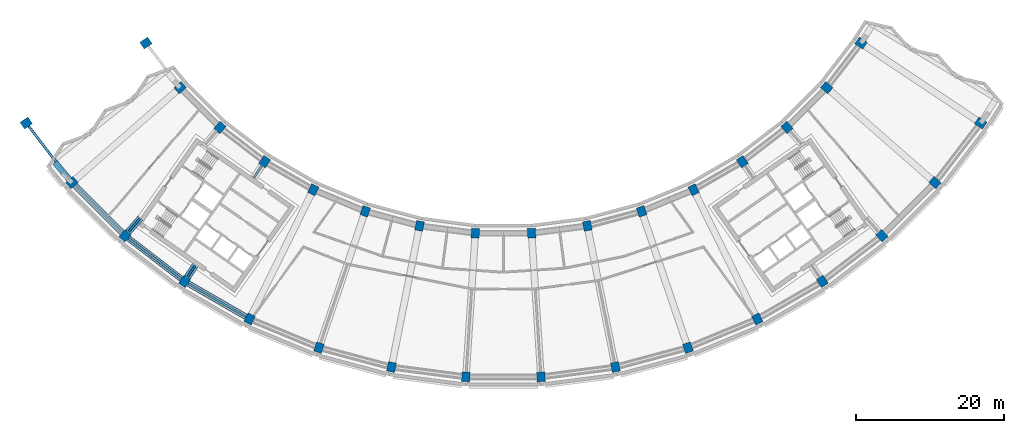
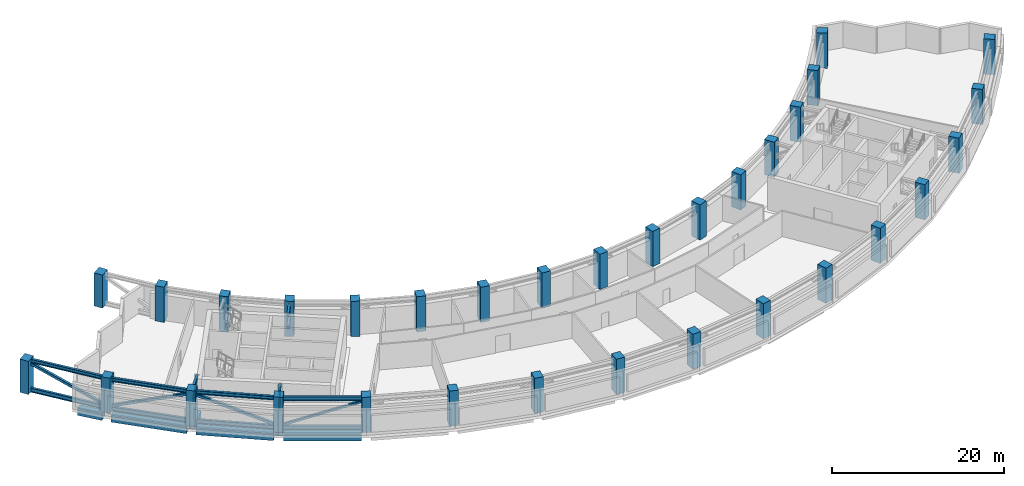
# One storey, part 1 of 24: 32 columns, 20 members, 6 beams.
"""IFC4 building model written with IfcOpenShell, lengths in metres."""

from ifc_helpers import new_model, si_unit, direction, frame, origin, origin_2d, place, context, subcontext, project, spatial, rectangle, hollow_rectangle, hollow_circle, i_section, extrude, material, material_profile, profile_set, type_object, element, save


model = new_model("IFC4")

# Units and contexts
model_context = context("Model", 3, precision=1e-05, world=origin(), true_north=direction((0.0, 1.0)))
body_context = subcontext(model_context, "Body", "Model", "MODEL_VIEW")
ifc_project = project(units=[si_unit("LENGTHUNIT", "METRE"), si_unit("AREAUNIT", "SQUARE_METRE"), si_unit("VOLUMEUNIT", "CUBIC_METRE"), si_unit("PLANEANGLEUNIT", "RADIAN"), si_unit("MASSUNIT", "GRAM", prefix="KILO")], contexts=[model_context])

# Site, building, storey
site_placement = place(None, origin())
site = spatial("IfcSite", under=ifc_project, at=site_placement, CompositionType="ELEMENT")
building_placement = place(site_placement, origin())
building = spatial("IfcBuilding", under=site, at=building_placement, Name="Qamariyya Broadcast Tower", CompositionType="ELEMENT")
storey_placement = place(building_placement, frame((0.0, 0.0, 198.699951171875)))
storey = spatial("IfcBuildingStorey", under=building, at=storey_placement, Name="L47", CompositionType="ELEMENT", Elevation=198.699951171875)

# Columns
ifc_material_1 = material(Name="Concrete C60/75", Category="concrete")
ifc_material_profile_1 = material_profile(ifc_material_1, rectangle(XDim=1.10009765625, YDim=1.300048828125, at=origin_2d()))
ifc_profile_set_1 = profile_set([ifc_material_profile_1], Name="Concrete C60/75")
column_type_1 = type_object("IfcColumnType", Name="RC column 1100 x 1300 C60/75", PredefinedType="COLUMN", material=ifc_profile_set_1)
for number, where, z_axis, x_axis, name in (
    (1, (-43.794677734375, -38.406982421875, 0.0), (0.0, 0.0, 1.0), (0.6593458151, -0.751839807479, 0.0), "Column C8 L47 B-R04"),
    (2, (-58.45556640625, -51.26416015625, 0.0), (0.0, 0.0, 1.0), (0.6593458151, -0.751839807479, 0.0), "Column C8 L47 C-R04"),
    (3, (-38.406982421875, -43.794677734375, 0.0), (0.0, 0.0, 1.0), (0.751839807479, -0.6593458151, 0.0), "Column C8 L47 B-R05"),
    (4, (-51.26416015625, -58.45556640625, 0.0), (0.0, 0.0, 1.0), (0.751839807479, -0.6593458151, 0.0), "Column C8 L47 C-R05"),
    (5, (-32.362060546875, -48.43310546875, 0.0), (0.0, 0.0, 1.0), (0.831469612303, -0.55557023302, 0.0), "Column C8 L47 B-R06"),
    (6, (-43.195556640625, -64.646728515625, 0.0), (0.0, 0.0, 1.0), (0.831469612303, -0.55557023302, 0.0), "Column C8 L47 C-R06"),
    (7, (-25.763427734375, -52.242919921875, 0.0), (0.0, 0.0, 1.0), (0.896872741533, -0.442288690219, 0.0), "Column C8 L47 B-R07"),
    (8, (-34.387939453125, -69.73193359375, 0.0), (0.0, 0.0, 1.0), (0.896872741533, -0.442288690219, 0.0), "Column C8 L47 C-R07"),
    (9, (-18.723876953125, -55.15869140625, 0.0), (0.0, 0.0, 1.0), (0.946930129495, -0.321439465303, 0.0), "Column C8 L47 B-R08"),
    (10, (-24.991943359375, -73.623779296875, 0.0), (0.0, 0.0, 1.0), (0.946930129495, -0.321439465303, 0.0), "Column C8 L47 C-R08"),
    (11, (-11.364013671875, -57.130859375, 0.0), (0.0, 0.0, 1.0), (0.980785280403, -0.195090322016, 0.0), "Column C8 L47 B-R09"),
    (12, (-15.168212890625, -76.256103515625, 0.0), (0.0, 0.0, 1.0), (0.980785280403, -0.195090322016, 0.0), "Column C8 L47 C-R09"),
    (13, (-3.809814453125, -58.125244140625, 0.0), (0.0, 0.0, 1.0), (0.997858923239, -0.06540312923, 0.0), "Column C8 L47 B-R10"),
    (14, (-5.085205078125, -77.58349609375, 0.0), (0.0, 0.0, 1.0), (0.997858923239, -0.06540312923, 0.0), "Column C8 L47 C-R10"),
    (15, (3.809814453125, -58.125244140625, 0.0), (0.0, 0.0, 1.0), (0.997858923239, 0.06540312923, 0.0), "Column C8 L47 B-R11"),
    (16, (5.085205078125, -77.58349609375, 0.0), (0.0, 0.0, 1.0), (0.997858923239, 0.06540312923, 0.0), "Column C8 L47 C-R11"),
    (17, (11.364013671875, -57.130859375, 0.0), (0.0, 0.0, 1.0), (0.980785280403, 0.195090322016, 0.0), "Column C8 L47 B-R12"),
    (18, (15.168212890625, -76.256103515625, 0.0), (0.0, 0.0, 1.0), (0.980785280403, 0.195090322016, 0.0), "Column C8 L47 C-R12"),
    (19, (18.723876953125, -55.15869140625, 0.0), (0.0, 0.0, 1.0), (0.946930129495, 0.321439465303, 0.0), "Column C8 L47 B-R13"),
    (20, (24.991943359375, -73.623779296875, 0.0), (0.0, 0.0, 1.0), (0.946930129495, 0.321439465303, 0.0), "Column C8 L47 C-R13"),
    (21, (25.763427734375, -52.242919921875, 0.0), (0.0, 0.0, 1.0), (0.896872741533, 0.442288690219, 0.0), "Column C8 L47 B-R14"),
    (22, (34.387939453125, -69.73193359375, 0.0), (0.0, 0.0, 1.0), (0.896872741533, 0.442288690219, 0.0), "Column C8 L47 C-R14"),
    (23, (32.362060546875, -48.43310546875, 0.0), (0.0, 0.0, 1.0), (0.831469612303, 0.55557023302, 0.0), "Column C8 L47 B-R15"),
    (24, (43.195556640625, -64.646728515625, 0.0), (0.0, 0.0, 1.0), (0.831469612303, 0.55557023302, 0.0), "Column C8 L47 C-R15"),
    (25, (38.406982421875, -43.794677734375, 0.0), (0.0, 0.0, 1.0), (0.751839807479, 0.6593458151, 0.0), "Column C8 L47 B-R16"),
    (26, (51.26416015625, -58.45556640625, 0.0), (0.0, 0.0, 1.0), (0.751839807479, 0.6593458151, 0.0), "Column C8 L47 C-R16"),
    (27, (43.794677734375, -38.406982421875, 0.0), (0.0, 0.0, 1.0), (0.6593458151, 0.751839807479, 0.0), "Column C8 L47 B-R17"),
    (28, (58.45556640625, -51.26416015625, 0.0), (0.0, 0.0, 1.0), (0.6593458151, 0.751839807479, 0.0), "Column C8 L47 C-R17"),
    (29, (48.43310546875, -32.362060546875, 0.0), (0.0, 0.0, 1.0), (0.55557023302, 0.831469612303, 0.0), "Column C8 L47 B-R18"),
    (30, (64.646728515625, -43.195556640625, 0.0), (0.0, 0.0, 1.0), (0.55557023302, 0.831469612303, 0.0), "Column C8 L47 C-R18"),
):
    element("IfcColumn", number, at=place(storey_placement, frame(where, z_axis=z_axis, x_axis=x_axis)), inside=storey, type_object=column_type_1, Name=name, PredefinedType="COLUMN", context=body_context, shape_type="SweptSolid", body=[
        extrude(rectangle(XDim=1.10009765625, YDim=1.300048828125, at=origin_2d()), origin(), (0.0, 0.0, 1.0), 5.0),
    ])
ifc_material_profile_2 = material_profile(ifc_material_1, rectangle(XDim=1.10009765625, YDim=1.300048828125, at=origin_2d()))
ifc_profile_set_2 = profile_set([ifc_material_profile_2], Name="Concrete C60/75")
column_type_2 = type_object("IfcColumnType", Name="RC column 1100 x 1300 C60/75 to slab soffit", PredefinedType="COLUMN", material=ifc_profile_set_2)
for number, where, z_axis, x_axis, name in (
    (31, (-48.43310546875, -32.362060546875, 0.0), (0.0, 0.0, 1.0), (0.55557023302, -0.831469612303, 0.0), "Column C18 L47 B-R03"),
    (32, (-64.646728515625, -43.195556640625, 0.0), (0.0, 0.0, 1.0), (0.55557023302, -0.831469612303, 0.0), "Column C18 L47 C-R03"),
):
    element("IfcColumn", number, at=place(storey_placement, frame(where, z_axis=z_axis, x_axis=x_axis)), inside=storey, type_object=column_type_2, Name=name, PredefinedType="COLUMN", context=body_context, shape_type="SweptSolid", body=[
        extrude(rectangle(XDim=1.10009765625, YDim=1.300048828125, at=origin_2d()), origin(), (0.0, 0.0, 1.0), 4.699951171875),
    ])

# Members
ifc_material_2 = material(Name="Steel S355", Category="steel")
ifc_material_profile_3 = material_profile(ifc_material_2, i_section(OverallWidth=0.300048828125, OverallDepth=0.60009765625, WebThickness=0.015380859375, FlangeThickness=0.030029296875, FilletRadius=0.027099609375, at=origin_2d()))
ifc_profile_set_3 = profile_set([ifc_material_profile_3], Name="Steel S355")
member_type_1 = type_object("IfcMemberType", Name="Belt truss bottom chord HEB 600", PredefinedType="CHORD", material=ifc_profile_set_3)
member_1_placement = place(storey_placement, frame((-42.71826171875, -64.92236328125, 0.300048828125), z_axis=(0.866025972227, -0.499999015427, 0.0), x_axis=(0.499999015427, 0.866025972227, 0.0)))
element("IfcMember", 33, at=member_1_placement, inside=storey, type_object=member_type_1, Name="Belt truss bottom chord T22 L47 C-R06", PredefinedType="CHORD", context=body_context, shape_type="SweptSolid", body=[
    extrude(i_section(OverallWidth=0.300048828125, OverallDepth=0.60009765625, WebThickness=0.015380859375, FlangeThickness=0.030029296875, FilletRadius=0.027099609375, at=origin_2d()), origin(), (0.0, 0.0, 1.0), 9.06787109375),
])
ifc_material_profile_4 = material_profile(ifc_material_2, hollow_rectangle(XDim=0.300048828125, YDim=0.300048828125, WallThickness=0.012451171875, InnerFilletRadius=0.012451171875, OuterFilletRadius=0.02490234375, at=origin_2d()))
ifc_profile_set_4 = profile_set([ifc_material_profile_4], Name="Steel S355")
member_type_2 = type_object("IfcMemberType", Name="Belt truss diagonal RHS 300x300x12.5", PredefinedType="BRACE", material=ifc_profile_set_4)
member_2_placement = place(storey_placement, frame((-42.672607421875, -64.94873046875, 0.7412109375), z_axis=(0.815085795478, -0.470586933065, 0.337909876208), x_axis=(0.499997553305, 0.86602681638, 0.0)))
element("IfcMember", 34, at=member_2_placement, inside=storey, type_object=member_type_2, Name="Belt truss diagonal T23 L47 C-R06", PredefinedType="BRACE", context=body_context, shape_type="SweptSolid", body=[
    extrude(hollow_rectangle(XDim=0.300048828125, YDim=0.300048828125, WallThickness=0.012451171875, InnerFilletRadius=0.012451171875, OuterFilletRadius=0.02490234375, at=origin_2d()), origin(), (0.0, 0.0, 1.0), 9.5224609375),
])
ifc_material_profile_5 = material_profile(ifc_material_2, i_section(OverallWidth=0.300048828125, OverallDepth=0.60009765625, WebThickness=0.015380859375, FlangeThickness=0.030029296875, FilletRadius=0.027099609375, at=origin_2d()))
ifc_profile_set_5 = profile_set([ifc_material_profile_5], Name="Steel S355")
member_type_3 = type_object("IfcMemberType", Name="Belt truss top chord HEB 600", PredefinedType="CHORD", material=ifc_profile_set_5)
member_3_placement = place(storey_placement, frame((-42.71826171875, -64.92236328125, 4.400146484375), z_axis=(0.866025972227, -0.499999015427, 0.0), x_axis=(0.499999015427, 0.866025972227, 0.0)))
element("IfcMember", 35, at=member_3_placement, inside=storey, type_object=member_type_3, Name="Belt truss top chord T21 L47 C-R06", PredefinedType="CHORD", context=body_context, shape_type="SweptSolid", body=[
    extrude(i_section(OverallWidth=0.300048828125, OverallDepth=0.60009765625, WebThickness=0.015380859375, FlangeThickness=0.030029296875, FilletRadius=0.027099609375, at=origin_2d()), origin(), (0.0, 0.0, 1.0), 9.06787109375),
])
ifc_material_profile_6 = material_profile(ifc_material_2, i_section(OverallWidth=0.300048828125, OverallDepth=0.389892578125, WebThickness=0.010986328125, FlangeThickness=0.01904296875, FilletRadius=0.027099609375, at=origin_2d()))
ifc_profile_set_6 = profile_set([ifc_material_profile_6], Name="Steel S355")
member_type_4 = type_object("IfcMemberType", Name="Outrigger truss bottom chord HEA 400", PredefinedType="CHORD", material=ifc_profile_set_6)
member_4_placement = place(storey_placement, frame((-49.22412109375, -56.12939453125, 2.695068359375), z_axis=(-0.659309986611, -0.751871226711, 0.0), x_axis=(0.751871226711, -0.659309986611, 0.0)))
element("IfcMember", 36, at=member_4_placement, inside=storey, type_object=member_type_4, Name="Outrigger truss bottom chord T25 L47 R05", PredefinedType="CHORD", context=body_context, shape_type="SweptSolid", body=[
    extrude(i_section(OverallWidth=0.300048828125, OverallDepth=0.389892578125, WebThickness=0.010986328125, FlangeThickness=0.01904296875, FilletRadius=0.027099609375, at=origin_2d()), origin(), (0.0, 0.0, 1.0), 2.424072265625),
])
member_5_placement = place(storey_placement, frame((-32.734130859375, -48.990234375, 2.695068359375), z_axis=(-0.555653520219, -0.831413955541, 0.0), x_axis=(0.831413955541, -0.555653520219, 0.0)))
element("IfcMember", 37, at=member_5_placement, inside=storey, type_object=member_type_4, Name="Outrigger truss bottom chord T25 L47 R06", PredefinedType="CHORD", context=body_context, shape_type="SweptSolid", body=[
    extrude(i_section(OverallWidth=0.300048828125, OverallDepth=0.389892578125, WebThickness=0.010986328125, FlangeThickness=0.01904296875, FilletRadius=0.027099609375, at=origin_2d()), origin(), (0.0, 0.0, 1.0), 1.949462890625),
])
member_6_placement = place(storey_placement, frame((-41.75830078125, -62.49560546875, 2.695068359375), z_axis=(-0.555522834647, -0.831501280929, 0.0), x_axis=(0.831501280929, -0.555522834647, 0.0)))
element("IfcMember", 38, at=member_6_placement, inside=storey, type_object=member_type_4, Name="Outrigger truss bottom chord T25 L47 R06", PredefinedType="CHORD", context=body_context, shape_type="SweptSolid", body=[
    extrude(i_section(OverallWidth=0.300048828125, OverallDepth=0.389892578125, WebThickness=0.010986328125, FlangeThickness=0.01904296875, FilletRadius=0.027099609375, at=origin_2d()), origin(), (0.0, 0.0, 1.0), 1.9169921875),
])
ifc_material_profile_7 = material_profile(ifc_material_2, hollow_circle(Radius=0.136474609375, WallThickness=0.012451171875, at=origin_2d()))
ifc_profile_set_7 = profile_set([ifc_material_profile_7], Name="Steel S355")
member_type_5 = type_object("IfcMemberType", Name="Outrigger truss diagonal CHS 273x12.5", PredefinedType="BRACE", material=ifc_profile_set_7)
member_7_placement = place(storey_placement, frame((-49.266357421875, -56.177734375, 4.1884765625), z_axis=(-0.586755104263, -0.66899545678, -0.456249412525), x_axis=(0.751805359255, -0.659385093702, 0.0)))
element("IfcMember", 39, at=member_7_placement, inside=storey, type_object=member_type_5, Name="Outrigger truss diagonal T26 L47 R05", PredefinedType="BRACE", context=body_context, shape_type="SweptSolid", body=[
    extrude(hollow_circle(Radius=0.136474609375, WallThickness=0.012451171875, at=origin_2d()), origin(), (0.0, 0.0, 1.0), 2.579833984375),
])
member_8_placement = place(storey_placement, frame((-41.802001953125, -62.56103515625, 4.197021484375), z_axis=(-0.459683781528, -0.688033192481, -0.561516827036), x_axis=(0.831494900489, -0.555532384709, 0.0)))
element("IfcMember", 40, at=member_8_placement, inside=storey, type_object=member_type_5, Name="Outrigger truss diagonal T26 L47 R06", PredefinedType="BRACE", context=body_context, shape_type="SweptSolid", body=[
    extrude(hollow_circle(Radius=0.136474609375, WallThickness=0.012451171875, at=origin_2d()), origin(), (0.0, 0.0, 1.0), 2.12646484375),
])
ifc_material_profile_8 = material_profile(ifc_material_2, i_section(OverallWidth=0.300048828125, OverallDepth=0.389892578125, WebThickness=0.010986328125, FlangeThickness=0.01904296875, FilletRadius=0.027099609375, at=origin_2d()))
ifc_profile_set_8 = profile_set([ifc_material_profile_8], Name="Steel S355")
member_type_6 = type_object("IfcMemberType", Name="Outrigger truss top chord HEA 400", PredefinedType="CHORD", material=ifc_profile_set_8)
member_9_placement = place(storey_placement, frame((-49.22412109375, -56.12939453125, 4.505126953125), z_axis=(-0.659309986611, -0.751871226711, 0.0), x_axis=(0.751871226711, -0.659309986611, 0.0)))
element("IfcMember", 41, at=member_9_placement, inside=storey, type_object=member_type_6, Name="Outrigger truss top chord T24 L47 R05", PredefinedType="CHORD", context=body_context, shape_type="SweptSolid", body=[
    extrude(i_section(OverallWidth=0.300048828125, OverallDepth=0.389892578125, WebThickness=0.010986328125, FlangeThickness=0.01904296875, FilletRadius=0.027099609375, at=origin_2d()), origin(), (0.0, 0.0, 1.0), 2.424072265625),
])
member_10_placement = place(storey_placement, frame((-32.734130859375, -48.990234375, 4.505126953125), z_axis=(-0.555653520219, -0.831413955541, 0.0), x_axis=(0.831413955541, -0.555653520219, 0.0)))
element("IfcMember", 42, at=member_10_placement, inside=storey, type_object=member_type_6, Name="Outrigger truss top chord T24 L47 R06", PredefinedType="CHORD", context=body_context, shape_type="SweptSolid", body=[
    extrude(i_section(OverallWidth=0.300048828125, OverallDepth=0.389892578125, WebThickness=0.010986328125, FlangeThickness=0.01904296875, FilletRadius=0.027099609375, at=origin_2d()), origin(), (0.0, 0.0, 1.0), 1.949462890625),
])
member_11_placement = place(storey_placement, frame((-41.75830078125, -62.49560546875, 4.505126953125), z_axis=(-0.555522834647, -0.831501280929, 0.0), x_axis=(0.831501280929, -0.555522834647, 0.0)))
element("IfcMember", 43, at=member_11_placement, inside=storey, type_object=member_type_6, Name="Outrigger truss top chord T24 L47 R06", PredefinedType="CHORD", context=body_context, shape_type="SweptSolid", body=[
    extrude(i_section(OverallWidth=0.300048828125, OverallDepth=0.389892578125, WebThickness=0.010986328125, FlangeThickness=0.01904296875, FilletRadius=0.027099609375, at=origin_2d()), origin(), (0.0, 0.0, 1.0), 1.9169921875),
])

# Beams
ifc_material_3 = material(Name="Concrete C40/50", Category="concrete")
ifc_material_profile_9 = material_profile(ifc_material_3, rectangle(XDim=0.800048828125, YDim=1.0, at=origin_2d()))
ifc_profile_set_9 = profile_set([ifc_material_profile_9], Name="Concrete C40/50")
beam_type_1 = type_object("IfcBeamType", Name="RC edge beam 800 x 1000 C40/50", PredefinedType="SPANDREL", material=ifc_profile_set_9)
beam_1_placement = place(storey_placement, frame((-58.06591796875, -51.65380859375, -0.89990234375), z_axis=(0.707106781187, -0.707106781187, 0.0), x_axis=(0.707106781187, 0.707106781187, 0.0)))
element("IfcBeam", 44, at=beam_1_placement, inside=storey, type_object=beam_type_1, Name="Edge beam B24 L47 C R04-R05", PredefinedType="SPANDREL", context=body_context, shape_type="SweptSolid", body=[
    extrude(rectangle(XDim=0.800048828125, YDim=1.0, at=origin_2d()), origin(), (0.0, 0.0, 1.0), 9.068115234375),
])
for number, where, z_axis, x_axis, name in (
    (45, (-50.826904296875, -58.791015625, -0.89990234375), (0.793351056372, -0.608764405458, 0.0), (0.608764405458, 0.793351056372, 0.0), "Edge beam B24 L47 C R05-R06"),
    (46, (-42.71826171875, -64.92236328125, -0.89990234375), (0.866025972227, -0.499999015427, 0.0), (0.499999015427, 0.866025972227, 0.0), "Edge beam B24 L47 C R06-R07"),
):
    element("IfcBeam", number, at=place(storey_placement, frame(where, z_axis=z_axis, x_axis=x_axis)), inside=storey, type_object=beam_type_1, Name=name, PredefinedType="SPANDREL", context=body_context, shape_type="SweptSolid", body=[
        extrude(rectangle(XDim=0.800048828125, YDim=1.0, at=origin_2d()), origin(), (0.0, 0.0, 1.0), 9.06787109375),
    ])
ifc_material_profile_10 = material_profile(ifc_material_3, rectangle(XDim=0.800048828125, YDim=1.0, at=origin_2d()))
ifc_profile_set_10 = profile_set([ifc_material_profile_10], Name="Concrete C40/50")
beam_type_2 = type_object("IfcBeamType", Name="RC horn beam 800 x 1000 C40/50", PredefinedType="BEAM", material=ifc_profile_set_10)
beam_2_placement = place(storey_placement, frame((-58.807861328125, -50.841552734375, -0.89990234375), z_axis=(-0.640503737834, 0.767955051953, 0.0), x_axis=(-0.767955051953, -0.640503737834, 0.0)))
element("IfcBeam", 47, at=beam_2_placement, inside=storey, type_object=beam_type_2, Name="Horn beam B25 L47 W C-R04", PredefinedType="BEAM", context=body_context, shape_type="SweptSolid", body=[
    extrude(rectangle(XDim=0.800048828125, YDim=1.0, at=origin_2d()), origin(), (0.0, 0.0, 1.0), 3.00732421875),
])
ifc_material_profile_11 = material_profile(ifc_material_3, rectangle(XDim=0.89990234375, YDim=1.0, at=origin_2d()))
ifc_profile_set_11 = profile_set([ifc_material_profile_11], Name="Concrete C40/50")
beam_type_3 = type_object("IfcBeamType", Name="RC radial beam 900 x 1000 C40/50", PredefinedType="BEAM", material=ifc_profile_set_11)
beam_3_placement = place(storey_placement, frame((-49.1943359375, -56.095458984375, -0.89990234375), z_axis=(-0.659344451764, -0.75184100309, 0.0), x_axis=(0.75184100309, -0.659344451764, 0.0)))
element("IfcBeam", 48, at=beam_3_placement, inside=storey, type_object=beam_type_3, Name="Radial beam B23 L47 R05 B-C", PredefinedType="BEAM", context=body_context, shape_type="SweptSolid", body=[
    extrude(rectangle(XDim=0.89990234375, YDim=1.0, at=origin_2d()), origin(), (0.0, 0.0, 1.0), 2.489013671875),
])
beam_4_placement = place(storey_placement, frame((-41.733154296875, -62.458251953125, -0.89990234375), z_axis=(-0.555637861027, -0.831424420734, 0.0), x_axis=(0.831424420734, -0.555637861027, 0.0)))
element("IfcBeam", 49, at=beam_4_placement, inside=storey, type_object=beam_type_3, Name="Radial beam B23 L47 R06 B-C", PredefinedType="BEAM", context=body_context, shape_type="SweptSolid", body=[
    extrude(rectangle(XDim=0.89990234375, YDim=1.0, at=origin_2d()), origin(), (0.0, 0.0, 1.0), 1.982177734375),
])

# Members
ifc_material_profile_12 = material_profile(ifc_material_2, i_section(OverallWidth=0.300048828125, OverallDepth=0.60009765625, WebThickness=0.015380859375, FlangeThickness=0.030029296875, FilletRadius=0.027099609375, at=origin_2d()))
ifc_profile_set_12 = profile_set([ifc_material_profile_12], Name="Steel S355")
member_type_7 = type_object("IfcMemberType", Name="Transfer truss bottom chord HEB 600", PredefinedType="CHORD", material=ifc_profile_set_12)
member_12_placement = place(storey_placement, frame((-64.311279296875, -43.6328125, 0.300048828125), z_axis=(0.608764405458, -0.793351056372, 0.0), x_axis=(0.793351056372, 0.608764405458, 0.0)))
element("IfcMember", 50, at=member_12_placement, inside=storey, type_object=member_type_7, Name="Transfer truss bottom chord T19 L47 C-R03", PredefinedType="CHORD", context=body_context, shape_type="SweptSolid", body=[
    extrude(i_section(OverallWidth=0.300048828125, OverallDepth=0.60009765625, WebThickness=0.015380859375, FlangeThickness=0.030029296875, FilletRadius=0.027099609375, at=origin_2d()), origin(), (0.0, 0.0, 1.0), 9.06787109375),
])
member_13_placement = place(storey_placement, frame((-58.06591796875, -51.65380859375, 0.300048828125), z_axis=(0.707106781187, -0.707106781187, 0.0), x_axis=(0.707106781187, 0.707106781187, 0.0)))
element("IfcMember", 51, at=member_13_placement, inside=storey, type_object=member_type_7, Name="Transfer truss bottom chord T19 L47 C-R04", PredefinedType="CHORD", context=body_context, shape_type="SweptSolid", body=[
    extrude(i_section(OverallWidth=0.300048828125, OverallDepth=0.60009765625, WebThickness=0.015380859375, FlangeThickness=0.030029296875, FilletRadius=0.027099609375, at=origin_2d()), origin(), (0.0, 0.0, 1.0), 9.068115234375),
])
member_14_placement = place(storey_placement, frame((-50.826904296875, -58.791015625, 0.300048828125), z_axis=(0.793351056372, -0.608764405458, 0.0), x_axis=(0.608764405458, 0.793351056372, 0.0)))
element("IfcMember", 52, at=member_14_placement, inside=storey, type_object=member_type_7, Name="Transfer truss bottom chord T19 L47 C-R05", PredefinedType="CHORD", context=body_context, shape_type="SweptSolid", body=[
    extrude(i_section(OverallWidth=0.300048828125, OverallDepth=0.60009765625, WebThickness=0.015380859375, FlangeThickness=0.030029296875, FilletRadius=0.027099609375, at=origin_2d()), origin(), (0.0, 0.0, 1.0), 9.06787109375),
])
ifc_material_profile_13 = material_profile(ifc_material_2, hollow_rectangle(XDim=0.35009765625, YDim=0.35009765625, WallThickness=0.01416015625, InnerFilletRadius=0.01416015625, OuterFilletRadius=0.0283203125, at=origin_2d()))
ifc_profile_set_13 = profile_set([ifc_material_profile_13], Name="Steel S355")
member_type_8 = type_object("IfcMemberType", Name="Transfer truss diagonal RHS 350x350x14.2", PredefinedType="BRACE", material=ifc_profile_set_13)
member_15_placement = place(storey_placement, frame((-64.273681640625, -43.681884765625, 4.011474609375), z_axis=(0.5722365784, -0.745731791741, -0.341217515856), x_axis=(0.793344888838, 0.608772442999, 0.0)))
element("IfcMember", 53, at=member_15_placement, inside=storey, type_object=member_type_8, Name="Transfer truss diagonal T20 L47 C-R03", PredefinedType="BRACE", context=body_context, shape_type="SweptSolid", body=[
    extrude(hollow_rectangle(XDim=0.35009765625, YDim=0.35009765625, WallThickness=0.01416015625, InnerFilletRadius=0.01416015625, OuterFilletRadius=0.0283203125, at=origin_2d()), origin(), (0.0, 0.0, 1.0), 9.515380859375),
])
member_16_placement = place(storey_placement, frame((-58.022216796875, -51.697509765625, 0.7646484375), z_axis=(0.664670576842, -0.664670576842, 0.341212614893), x_axis=(0.707106781187, 0.707106781187, 0.0)))
element("IfcMember", 54, at=member_16_placement, inside=storey, type_object=member_type_8, Name="Transfer truss diagonal T20 L47 C-R04", PredefinedType="BRACE", context=body_context, shape_type="SweptSolid", body=[
    extrude(hollow_rectangle(XDim=0.35009765625, YDim=0.35009765625, WallThickness=0.01416015625, InnerFilletRadius=0.01416015625, OuterFilletRadius=0.0283203125, at=origin_2d()), origin(), (0.0, 0.0, 1.0), 9.515625),
])
member_17_placement = place(storey_placement, frame((-50.77783203125, -58.82861328125, 4.011474609375), z_axis=(0.745731791741, -0.5722365784, -0.341217515856), x_axis=(0.608772442999, 0.793344888838, 0.0)))
element("IfcMember", 55, at=member_17_placement, inside=storey, type_object=member_type_8, Name="Transfer truss diagonal T20 L47 C-R05", PredefinedType="BRACE", context=body_context, shape_type="SweptSolid", body=[
    extrude(hollow_rectangle(XDim=0.35009765625, YDim=0.35009765625, WallThickness=0.01416015625, InnerFilletRadius=0.01416015625, OuterFilletRadius=0.0283203125, at=origin_2d()), origin(), (0.0, 0.0, 1.0), 9.515380859375),
])
ifc_material_profile_14 = material_profile(ifc_material_2, i_section(OverallWidth=0.305908203125, OverallDepth=0.52392578125, WebThickness=0.02099609375, FlangeThickness=0.0400390625, FilletRadius=0.027099609375, at=origin_2d()))
ifc_profile_set_14 = profile_set([ifc_material_profile_14], Name="Steel S355")
member_type_9 = type_object("IfcMemberType", Name="Transfer truss top chord HEM 500", PredefinedType="CHORD", material=ifc_profile_set_14)
member_18_placement = place(storey_placement, frame((-64.311279296875, -43.6328125, 4.43798828125), z_axis=(0.608764405458, -0.793351056372, 0.0), x_axis=(0.793351056372, 0.608764405458, 0.0)))
element("IfcMember", 56, at=member_18_placement, inside=storey, type_object=member_type_9, Name="Transfer truss top chord T18 L47 C-R03", PredefinedType="CHORD", context=body_context, shape_type="SweptSolid", body=[
    extrude(i_section(OverallWidth=0.305908203125, OverallDepth=0.52392578125, WebThickness=0.02099609375, FlangeThickness=0.0400390625, FilletRadius=0.027099609375, at=origin_2d()), origin(), (0.0, 0.0, 1.0), 9.06787109375),
])
member_19_placement = place(storey_placement, frame((-58.06591796875, -51.65380859375, 4.43798828125), z_axis=(0.707106781187, -0.707106781187, 0.0), x_axis=(0.707106781187, 0.707106781187, 0.0)))
element("IfcMember", 57, at=member_19_placement, inside=storey, type_object=member_type_9, Name="Transfer truss top chord T18 L47 C-R04", PredefinedType="CHORD", context=body_context, shape_type="SweptSolid", body=[
    extrude(i_section(OverallWidth=0.305908203125, OverallDepth=0.52392578125, WebThickness=0.02099609375, FlangeThickness=0.0400390625, FilletRadius=0.027099609375, at=origin_2d()), origin(), (0.0, 0.0, 1.0), 9.068115234375),
])
member_20_placement = place(storey_placement, frame((-50.826904296875, -58.791015625, 4.43798828125), z_axis=(0.793351056372, -0.608764405458, 0.0), x_axis=(0.608764405458, 0.793351056372, 0.0)))
element("IfcMember", 58, at=member_20_placement, inside=storey, type_object=member_type_9, Name="Transfer truss top chord T18 L47 C-R05", PredefinedType="CHORD", context=body_context, shape_type="SweptSolid", body=[
    extrude(i_section(OverallWidth=0.305908203125, OverallDepth=0.52392578125, WebThickness=0.02099609375, FlangeThickness=0.0400390625, FilletRadius=0.027099609375, at=origin_2d()), origin(), (0.0, 0.0, 1.0), 9.06787109375),
])

save(model, "model.ifc")
